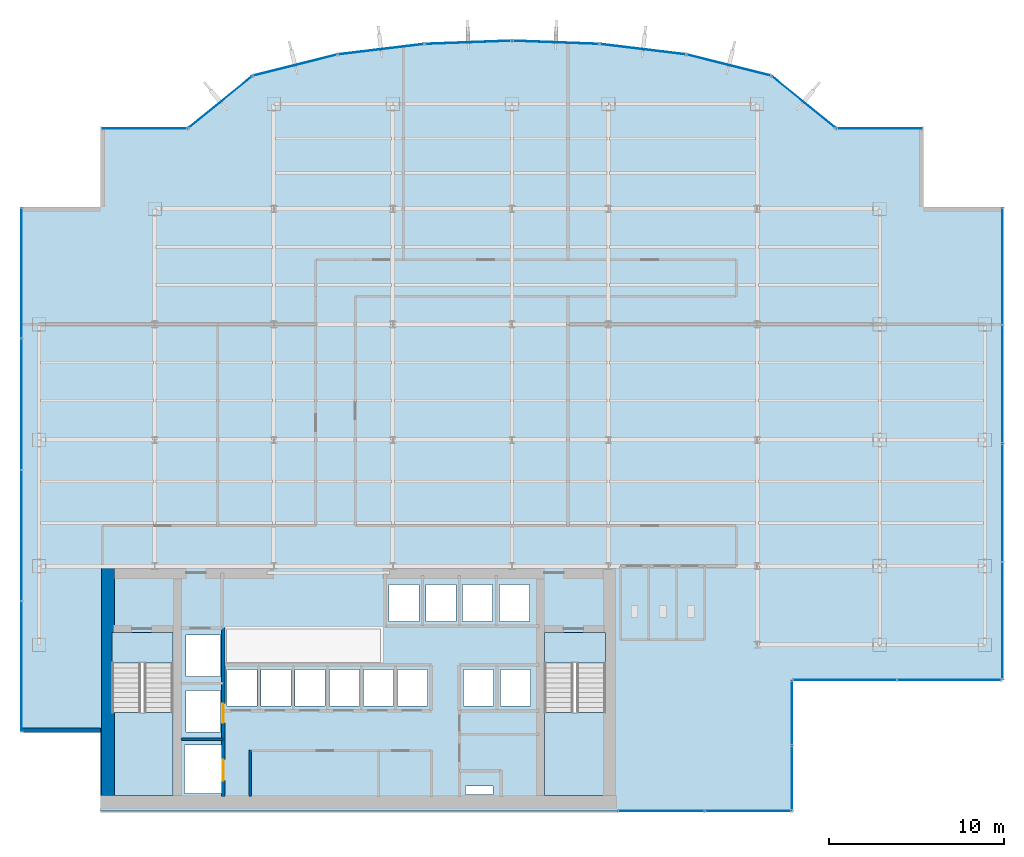
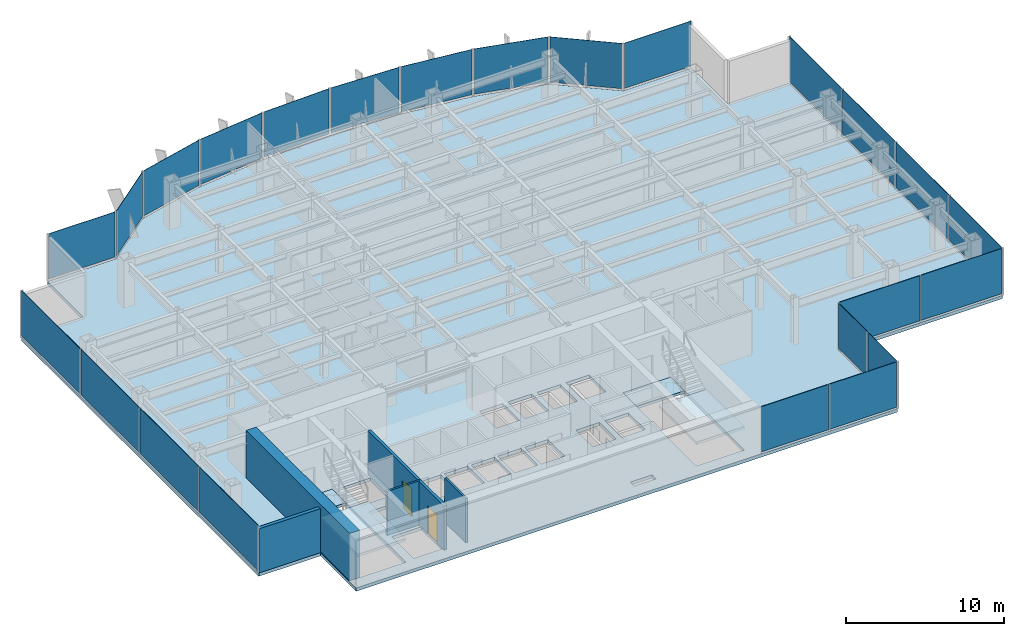
# One storey, part 20 of 26: 24 plates, 5 slabs, 5 walls, 2 doors, 2 openings, 17 elements without a shape of their own.
"""IFC4 building model written with IfcOpenShell, lengths in metres."""

from ifc_helpers import new_model, si_unit, derived_unit, direction, frame, frame_2d, origin, origin_2d, place, context, subcontext, project, spatial, polyline, rectangle, outline, extrude, source, transform, mapped, material, layer, layer_set, type_object, element, fill, aggregate, save


model = new_model("IFC4")

# Units and contexts
model_context = context("Model", 3, precision=1e-05, world=origin(), true_north=direction((0.0, 1.0)))
body_context = subcontext(model_context, "Body", "Model", "MODEL_VIEW")
ifc_project = project(units=[si_unit("LENGTHUNIT", "METRE"), si_unit("AREAUNIT", "SQUARE_METRE"), si_unit("VOLUMEUNIT", "CUBIC_METRE"), si_unit("PLANEANGLEUNIT", "RADIAN"), si_unit("MASSUNIT", "GRAM", prefix="KILO"), derived_unit("THERMALTRANSMITTANCEUNIT", [(si_unit("POWERUNIT", "WATT"), 1), (si_unit("LENGTHUNIT", "METRE"), -2), (si_unit("THERMODYNAMICTEMPERATUREUNIT", "KELVIN"), -1)])], contexts=[model_context])

# Site, building, storey
site_placement = place(None, origin())
site = spatial("IfcSite", under=ifc_project, at=site_placement, CompositionType="ELEMENT")
building_placement = place(site_placement, origin())
building = spatial("IfcBuilding", under=site, at=building_placement, Name="Skarnbrae Concourse Arena and Tower", CompositionType="ELEMENT")
storey_placement = place(building_placement, frame((0.0, 0.0, 92.300048828125)))
storey = spatial("IfcBuildingStorey", under=building, at=storey_placement, Name="L22", CompositionType="ELEMENT", Elevation=92.300048828125)

# Stair, slab
ifc_material_1 = material(Name="Concrete 40 MPa (C40/50)", Category="concrete")
stair_type = type_object("IfcStairType", Name="STAIR-DOGLEG-1650", PredefinedType="HALF_TURN_STAIR", material=ifc_material_1)
stair_1_placement = place(storey_placement, origin())
stair_1 = element("IfcStair", 1, at=stair_1_placement, inside=storey, type_object=stair_type, Name="L22 Protected Exit Stair ST-1", PredefinedType="HALF_TURN_STAIR")
ifc_layer_1 = layer(ifc_material_1, 0.199951171875)
ifc_layer_set_1 = layer_set([ifc_layer_1], Name="Concrete 40 MPa (C40/50)")
slab_type_1 = type_object("IfcSlabType", Name="SLAB-LANDING-200", PredefinedType="LANDING", material=ifc_layer_set_1)
slab_1_placement = place(storey_placement, frame((0.0, 0.0, 1.625)))
slab_1 = element("IfcSlab", 2, at=slab_1_placement, type_object=slab_type_1, Name="ST-1 landing 1", PredefinedType="LANDING", context=body_context, shape_type="SweptSolid", body=[
    extrude(outline(polyline([(5.14990234375, 5.64990234375), (5.14990234375, 0.89990234375), (8.64990234375, 0.89990234375), (8.64990234375, 5.64990234375), (5.14990234375, 5.64990234375)])), origin(), (0.0, 0.0, 1.0), 0.199951171875),
])
aggregate(stair_1, [slab_1])

stair_2_placement = place(storey_placement, origin())
stair_2 = element("IfcStair", 3, at=stair_2_placement, inside=storey, type_object=stair_type, Name="L22 Protected Exit Stair ST-2", PredefinedType="HALF_TURN_STAIR")
slab_2_placement = place(storey_placement, frame((0.0, 0.0, 1.625)))
slab_2 = element("IfcSlab", 4, at=slab_2_placement, type_object=slab_type_1, Name="ST-2 landing 1", PredefinedType="LANDING", context=body_context, shape_type="SweptSolid", body=[
    extrude(outline(polyline([(29.85009765625, 5.64990234375), (29.85009765625, 0.89990234375), (33.35009765625, 0.89990234375), (33.35009765625, 5.64990234375), (29.85009765625, 5.64990234375)])), origin(), (0.0, 0.0, 1.0), 0.199951171875),
])
aggregate(stair_2, [slab_2])

# Slabs
slab_3_placement = place(storey_placement, frame((0.0, 0.0, -0.199951171875)))
element("IfcSlab", 5, at=slab_3_placement, inside=storey, type_object=slab_type_1, Name="L22 Core stair ST1 floor landing", PredefinedType="LANDING", context=body_context, shape_type="SweptSolid", body=[
    extrude(outline(polyline([(5.14990234375, 10.199951171875), (5.14990234375, 8.449951171875), (8.64990234375, 8.449951171875), (8.64990234375, 10.199951171875), (5.14990234375, 10.199951171875)])), origin(), (0.0, 0.0, 1.0), 0.199951171875),
])
slab_4_placement = place(storey_placement, frame((0.0, 0.0, -0.199951171875)))
element("IfcSlab", 6, at=slab_4_placement, inside=storey, type_object=slab_type_1, Name="L22 Core stair ST2 floor landing", PredefinedType="LANDING", context=body_context, shape_type="SweptSolid", body=[
    extrude(outline(polyline([(29.85009765625, 10.199951171875), (29.85009765625, 8.449951171875), (33.35009765625, 8.449951171875), (33.35009765625, 10.199951171875), (29.85009765625, 10.199951171875)])), origin(), (0.0, 0.0, 1.0), 0.199951171875),
])
ifc_layer_2 = layer(ifc_material_1, 0.25)
ifc_layer_set_2 = layer_set([ifc_layer_2], Name="Concrete 40 MPa (C40/50)")
slab_type_2 = type_object("IfcSlabType", Name="SLAB-TOWER-250", PredefinedType="FLOOR", material=ifc_layer_set_2)
slab_5_placement = place(storey_placement, frame((0.0, 0.0, -0.25)))
element("IfcSlab", 7, at=slab_5_placement, inside=storey, type_object=slab_type_2, Name="L22 Structural floor slab", PredefinedType="FLOOR", context=body_context, shape_type="SweptSolid", body=[
    extrude(outline(polyline([(4.5, 0.0), (44.0, 0.0), (44.0, 7.5), (56.0, 7.5), (56.0, 34.5), (51.5, 34.5), (51.5, 39.0), (46.5, 39.0), (42.81103515625, 41.99609375), (37.964111328125, 43.212890625), (32.998779296875, 43.81396484375), (28.0, 44.0), (23.001220703125, 43.81396484375), (18.035888671875, 43.212890625), (13.18896484375, 41.99609375), (9.5, 39.0), (4.5, 39.0), (4.5, 34.5), (0.0, 34.5), (0.0, 4.5), (4.5, 4.5), (4.5, 0.0)]), holes=[polyline([(9.294921875, 3.780029296875), (11.455078125, 3.780029296875), (11.455078125, 1.02001953125), (9.294921875, 1.02001953125), (9.294921875, 3.780029296875)]), polyline([(8.64990234375, 10.199951171875), (8.64990234375, 0.89990234375), (5.14990234375, 0.89990234375), (5.14990234375, 10.199951171875), (8.64990234375, 10.199951171875)]), polyline([(9.39501953125, 6.8798828125), (11.35498046875, 6.8798828125), (11.35498046875, 4.52001953125), (9.39501953125, 4.52001953125), (9.39501953125, 6.8798828125)]), polyline([(11.719970703125, 8.10498046875), (13.429931640625, 8.10498046875), (13.429931640625, 5.9951171875), (11.719970703125, 5.9951171875), (11.719970703125, 8.10498046875)]), polyline([(13.669921875, 8.10498046875), (15.3798828125, 8.10498046875), (15.3798828125, 5.9951171875), (13.669921875, 5.9951171875), (13.669921875, 8.10498046875)]), polyline([(15.6201171875, 8.10498046875), (17.330078125, 8.10498046875), (17.330078125, 5.9951171875), (15.6201171875, 5.9951171875), (15.6201171875, 8.10498046875)]), polyline([(17.570068359375, 8.10498046875), (19.280029296875, 8.10498046875), (19.280029296875, 5.9951171875), (17.570068359375, 5.9951171875), (17.570068359375, 8.10498046875)]), polyline([(21.22998046875, 8.10498046875), (21.22998046875, 5.9951171875), (19.52001953125, 5.9951171875), (19.52001953125, 8.10498046875), (21.22998046875, 8.10498046875)]), polyline([(11.35498046875, 10.054931640625), (11.35498046875, 7.695068359375), (9.39501953125, 7.695068359375), (9.39501953125, 10.054931640625), (11.35498046875, 10.054931640625)]), polyline([(25.35009765625, 1.449951171875), (26.919921875, 1.449951171875), (26.919921875, 0.949951171875), (25.35009765625, 0.949951171875), (25.35009765625, 1.449951171875)]), polyline([(33.35009765625, 10.199951171875), (33.35009765625, 0.89990234375), (29.85009765625, 0.89990234375), (29.85009765625, 10.199951171875), (33.35009765625, 10.199951171875)]), polyline([(21.469970703125, 8.10498046875), (23.179931640625, 8.10498046875), (23.179931640625, 5.9951171875), (21.469970703125, 5.9951171875), (21.469970703125, 8.10498046875)]), polyline([(25.235107421875, 8.10498046875), (26.945068359375, 8.10498046875), (26.945068359375, 5.9951171875), (25.235107421875, 5.9951171875), (25.235107421875, 8.10498046875)]), polyline([(27.3349609375, 8.10498046875), (29.044921875, 8.10498046875), (29.044921875, 5.9951171875), (27.3349609375, 5.9951171875), (27.3349609375, 8.10498046875)]), polyline([(20.985107421875, 12.955078125), (22.695068359375, 12.955078125), (22.695068359375, 10.844970703125), (20.985107421875, 10.844970703125), (20.985107421875, 12.955078125)]), polyline([(23.0849609375, 12.955078125), (24.794921875, 12.955078125), (24.794921875, 10.844970703125), (23.0849609375, 10.844970703125), (23.0849609375, 12.955078125)]), polyline([(26.89501953125, 12.955078125), (26.89501953125, 10.844970703125), (25.18505859375, 10.844970703125), (25.18505859375, 12.955078125), (26.89501953125, 12.955078125)]), polyline([(28.9951171875, 12.955078125), (28.9951171875, 10.844970703125), (27.284912109375, 10.844970703125), (27.284912109375, 12.955078125), (28.9951171875, 12.955078125)])]), origin(), (0.0, 0.0, 1.0), 0.25),
])

# Curtain wall, plates
ifc_material_2 = material(Name="Bronze anodised aluminium 6063-T6", Category="aluminium")
curtain_wall_type = type_object("IfcCurtainWallType", Name="CW-SYS-04-MIDZONE", PredefinedType="USERDEFINED", material=ifc_material_2)
curtain_wall_1_placement = place(storey_placement, origin())
curtain_wall_1 = element("IfcCurtainWall", 8, at=curtain_wall_1_placement, inside=storey, type_object=curtain_wall_type, Name="L22 Unitised curtain wall CW-L22-SE-SPINE", ObjectType="UNITISED CURTAIN WALL", PredefinedType="USERDEFINED")
ifc_material_3 = material(Name="Low-E triple insulating glass", Category="glass")
ifc_layer_3 = layer(ifc_material_3, 0.031982421875)
ifc_layer_set_3 = layer_set([ifc_layer_3], Name="Low-E triple insulating glass")
plate_type = type_object("IfcPlateType", Name="CWP-CW-04", PredefinedType="CURTAIN_PANEL", material=ifc_layer_set_3)
shared_shape_1 = source(origin(), body_context, "Body", "SweptSolid", [
    extrude(rectangle(XDim=4.887451171875, YDim=0.031982421875, at=origin_2d()), origin(), (0.0, 0.0, 1.0), 3.489990234375),
])
plate_1_placement = place(storey_placement, frame((36.518798828125, 0.0, 0.16015625), z_axis=(0.0, 0.0, 1.0), x_axis=(1.0, 0.0, 0.0)))
plate_1 = element("IfcPlate", 9, at=plate_1_placement, type_object=plate_type, Name="CW-L22-SE-SPINE Low-E Glazing Panel 1", PredefinedType="CURTAIN_PANEL", context=body_context, shape_type="MappedRepresentation", body=[
    mapped(shared_shape_1, transform((0.0, 0.0, 0.0))),
])
plate_2_placement = place(storey_placement, frame((41.481201171875, 0.0, 0.16015625), z_axis=(0.0, 0.0, 1.0), x_axis=(1.0, 0.0, 0.0)))
plate_2 = element("IfcPlate", 10, at=plate_2_placement, type_object=plate_type, Name="CW-L22-SE-SPINE Low-E Glazing Panel 2", PredefinedType="CURTAIN_PANEL", context=body_context, shape_type="MappedRepresentation", body=[
    mapped(shared_shape_1, transform((0.0, 0.0, 0.0))),
])
aggregate(curtain_wall_1, [plate_1, plate_2])

curtain_wall_2_placement = place(storey_placement, origin())
curtain_wall_2 = element("IfcCurtainWall", 11, at=curtain_wall_2_placement, inside=storey, type_object=curtain_wall_type, Name="L22 Unitised curtain wall CW-L22-E02", ObjectType="UNITISED CURTAIN WALL", PredefinedType="USERDEFINED")
shared_shape_2 = source(origin(), body_context, "Body", "SweptSolid", [
    extrude(rectangle(XDim=3.637451171875, YDim=0.031982421875, at=origin_2d()), origin(), (0.0, 0.0, 1.0), 3.489990234375),
])
plate_3_placement = place(storey_placement, frame((44.0, 1.893798828125, 0.16015625), z_axis=(0.0, 0.0, 1.0), x_axis=(0.0, 1.0, 0.0)))
plate_3 = element("IfcPlate", 12, at=plate_3_placement, type_object=plate_type, Name="CW-L22-E02 Low-E Glazing Panel 1", PredefinedType="CURTAIN_PANEL", context=body_context, shape_type="MappedRepresentation", body=[
    mapped(shared_shape_2, transform((0.0, 0.0, 0.0))),
])
plate_4_placement = place(storey_placement, frame((44.0, 5.606201171875, 0.16015625), z_axis=(0.0, 0.0, 1.0), x_axis=(0.0, 1.0, 0.0)))
plate_4 = element("IfcPlate", 13, at=plate_4_placement, type_object=plate_type, Name="CW-L22-E02 Low-E Glazing Panel 2", PredefinedType="CURTAIN_PANEL", context=body_context, shape_type="MappedRepresentation", body=[
    mapped(shared_shape_2, transform((0.0, 0.0, 0.0))),
])
aggregate(curtain_wall_2, [plate_3, plate_4])

curtain_wall_3_placement = place(storey_placement, origin())
curtain_wall_3 = element("IfcCurtainWall", 14, at=curtain_wall_3_placement, inside=storey, type_object=curtain_wall_type, Name="L22 Unitised curtain wall CW-L22-E03", ObjectType="UNITISED CURTAIN WALL", PredefinedType="USERDEFINED")
shared_shape_3 = source(origin(), body_context, "Body", "SweptSolid", [
    extrude(rectangle(XDim=5.887451171875, YDim=0.031982421875, at=origin_2d()), origin(), (0.0, 0.0, 1.0), 3.489990234375),
])
plate_5_placement = place(storey_placement, frame((47.018798828125, 7.5, 0.16015625), z_axis=(0.0, 0.0, 1.0), x_axis=(1.0, 0.0, 0.0)))
plate_5 = element("IfcPlate", 15, at=plate_5_placement, type_object=plate_type, Name="CW-L22-E03 Low-E Glazing Panel 1", PredefinedType="CURTAIN_PANEL", context=body_context, shape_type="MappedRepresentation", body=[
    mapped(shared_shape_3, transform((0.0, 0.0, 0.0))),
])
plate_6_placement = place(storey_placement, frame((52.981201171875, 7.5, 0.16015625), z_axis=(0.0, 0.0, 1.0), x_axis=(1.0, 0.0, 0.0)))
plate_6 = element("IfcPlate", 16, at=plate_6_placement, type_object=plate_type, Name="CW-L22-E03 Low-E Glazing Panel 2", PredefinedType="CURTAIN_PANEL", context=body_context, shape_type="MappedRepresentation", body=[
    mapped(shared_shape_3, transform((0.0, 0.0, 0.0))),
])
aggregate(curtain_wall_3, [plate_5, plate_6])

# Curtain wall, plate
curtain_wall_4_placement = place(storey_placement, origin())
curtain_wall_4 = element("IfcCurtainWall", 17, at=curtain_wall_4_placement, inside=storey, type_object=curtain_wall_type, Name="L22 Unitised curtain wall CW-L22-E07", ObjectType="UNITISED CURTAIN WALL", PredefinedType="USERDEFINED")
shared_shape_4 = source(origin(), body_context, "Body", "SweptSolid", [
    extrude(rectangle(XDim=4.85009765625, YDim=0.031982421875, at=origin_2d()), origin(), (0.0, 0.0, 1.0), 3.489990234375),
])
plate_7_placement = place(storey_placement, frame((49.0, 39.0, 0.16015625), z_axis=(0.0, 0.0, 1.0), x_axis=(-1.0, 0.0, 0.0)))
plate_7 = element("IfcPlate", 18, at=plate_7_placement, type_object=plate_type, Name="CW-L22-E07 Low-E Glazing Panel 1", PredefinedType="CURTAIN_PANEL", context=body_context, shape_type="MappedRepresentation", body=[
    mapped(shared_shape_4, transform((0.0, 0.0, 0.0))),
])
aggregate(curtain_wall_4, [plate_7])

curtain_wall_5_placement = place(storey_placement, origin())
curtain_wall_5 = element("IfcCurtainWall", 19, at=curtain_wall_5_placement, inside=storey, type_object=curtain_wall_type, Name="L22 Unitised curtain wall CW-L22-E16", ObjectType="UNITISED CURTAIN WALL", PredefinedType="USERDEFINED")
plate_8_placement = place(storey_placement, frame((7.0, 39.0, 0.16015625), z_axis=(0.0, 0.0, 1.0), x_axis=(-1.0, 0.0, 0.0)))
plate_8 = element("IfcPlate", 20, at=plate_8_placement, type_object=plate_type, Name="CW-L22-E16 Low-E Glazing Panel 1", PredefinedType="CURTAIN_PANEL", context=body_context, shape_type="MappedRepresentation", body=[
    mapped(shared_shape_4, transform((0.0, 0.0, 0.0))),
])
aggregate(curtain_wall_5, [plate_8])

curtain_wall_6_placement = place(storey_placement, origin())
curtain_wall_6 = element("IfcCurtainWall", 21, at=curtain_wall_6_placement, inside=storey, type_object=curtain_wall_type, Name="L22 Unitised curtain wall CW-L22-E08", ObjectType="UNITISED CURTAIN WALL", PredefinedType="USERDEFINED")
shared_shape_5 = source(origin(), body_context, "Body", "SweptSolid", [
    extrude(rectangle(XDim=4.602294921875, YDim=0.031982421875, at=origin_2d()), origin(), (0.0, 0.0, 1.0), 3.489990234375),
])
plate_9_placement = place(storey_placement, frame((44.655517578125, 40.498046875, 0.16015625), z_axis=(0.0, 0.0, 1.0), x_axis=(-0.776241200471, 0.630436038542, 0.0)))
plate_9 = element("IfcPlate", 22, at=plate_9_placement, type_object=plate_type, Name="CW-L22-E08 Low-E Glazing Panel 1", PredefinedType="CURTAIN_PANEL", context=body_context, shape_type="MappedRepresentation", body=[
    mapped(shared_shape_5, transform((0.0, 0.0, 0.0))),
])
aggregate(curtain_wall_6, [plate_9])

curtain_wall_7_placement = place(storey_placement, origin())
curtain_wall_7 = element("IfcCurtainWall", 23, at=curtain_wall_7_placement, inside=storey, type_object=curtain_wall_type, Name="L22 Unitised curtain wall CW-L22-E15", ObjectType="UNITISED CURTAIN WALL", PredefinedType="USERDEFINED")
plate_10_placement = place(storey_placement, frame((11.344482421875, 40.498046875, 0.16015625), z_axis=(0.0, 0.0, 1.0), x_axis=(-0.776241200471, -0.630436038542, 0.0)))
plate_10 = element("IfcPlate", 24, at=plate_10_placement, type_object=plate_type, Name="CW-L22-E15 Low-E Glazing Panel 1", PredefinedType="CURTAIN_PANEL", context=body_context, shape_type="MappedRepresentation", body=[
    mapped(shared_shape_5, transform((0.0, 0.0, 0.0))),
])
aggregate(curtain_wall_7, [plate_10])

curtain_wall_8_placement = place(storey_placement, origin())
curtain_wall_8 = element("IfcCurtainWall", 25, at=curtain_wall_8_placement, inside=storey, type_object=curtain_wall_type, Name="L22 Unitised curtain wall CW-L22-E09", ObjectType="UNITISED CURTAIN WALL", PredefinedType="USERDEFINED")
shared_shape_6 = source(origin(), body_context, "Body", "SweptSolid", [
    extrude(rectangle(XDim=4.847412109375, YDim=0.031982421875, at=origin_2d()), origin(), (0.0, 0.0, 1.0), 3.489990234375),
])
plate_11_placement = place(storey_placement, frame((40.3876953125, 42.6044921875, 0.16015625), z_axis=(0.0, 0.0, 1.0), x_axis=(-0.969903046166, 0.243491439351, 0.0)))
plate_11 = element("IfcPlate", 26, at=plate_11_placement, type_object=plate_type, Name="CW-L22-E09 Low-E Glazing Panel 1", PredefinedType="CURTAIN_PANEL", context=body_context, shape_type="MappedRepresentation", body=[
    mapped(shared_shape_6, transform((0.0, 0.0, 0.0))),
])
aggregate(curtain_wall_8, [plate_11])

curtain_wall_9_placement = place(storey_placement, origin())
curtain_wall_9 = element("IfcCurtainWall", 27, at=curtain_wall_9_placement, inside=storey, type_object=curtain_wall_type, Name="L22 Unitised curtain wall CW-L22-E14", ObjectType="UNITISED CURTAIN WALL", PredefinedType="USERDEFINED")
plate_12_placement = place(storey_placement, frame((15.6123046875, 42.6044921875, 0.16015625), z_axis=(0.0, 0.0, 1.0), x_axis=(-0.969903046166, -0.243491439351, 0.0)))
plate_12 = element("IfcPlate", 28, at=plate_12_placement, type_object=plate_type, Name="CW-L22-E14 Low-E Glazing Panel 1", PredefinedType="CURTAIN_PANEL", context=body_context, shape_type="MappedRepresentation", body=[
    mapped(shared_shape_6, transform((0.0, 0.0, 0.0))),
])
aggregate(curtain_wall_9, [plate_12])

curtain_wall_10_placement = place(storey_placement, origin())
curtain_wall_10 = element("IfcCurtainWall", 29, at=curtain_wall_10_placement, inside=storey, type_object=curtain_wall_type, Name="L22 Unitised curtain wall CW-L22-E10", ObjectType="UNITISED CURTAIN WALL", PredefinedType="USERDEFINED")
shared_shape_7 = source(origin(), body_context, "Body", "SweptSolid", [
    extrude(rectangle(XDim=4.8515625, YDim=0.031982421875, at=origin_2d()), origin(), (0.0, 0.0, 1.0), 3.489990234375),
])
plate_13_placement = place(storey_placement, frame((35.4814453125, 43.513427734375, 0.16015625), z_axis=(0.0, 0.0, 1.0), x_axis=(-0.992749371969, 0.120202680731, 0.0)))
plate_13 = element("IfcPlate", 30, at=plate_13_placement, type_object=plate_type, Name="CW-L22-E10 Low-E Glazing Panel 1", PredefinedType="CURTAIN_PANEL", context=body_context, shape_type="MappedRepresentation", body=[
    mapped(shared_shape_7, transform((0.0, 0.0, 0.0))),
])
aggregate(curtain_wall_10, [plate_13])

curtain_wall_11_placement = place(storey_placement, origin())
curtain_wall_11 = element("IfcCurtainWall", 31, at=curtain_wall_11_placement, inside=storey, type_object=curtain_wall_type, Name="L22 Unitised curtain wall CW-L22-E13", ObjectType="UNITISED CURTAIN WALL", PredefinedType="USERDEFINED")
plate_14_placement = place(storey_placement, frame((20.5185546875, 43.513427734375, 0.16015625), z_axis=(0.0, 0.0, 1.0), x_axis=(-0.992749371969, -0.120202680731, 0.0)))
plate_14 = element("IfcPlate", 32, at=plate_14_placement, type_object=plate_type, Name="CW-L22-E13 Low-E Glazing Panel 1", PredefinedType="CURTAIN_PANEL", context=body_context, shape_type="MappedRepresentation", body=[
    mapped(shared_shape_7, transform((0.0, 0.0, 0.0))),
])
aggregate(curtain_wall_11, [plate_14])

curtain_wall_12_placement = place(storey_placement, origin())
curtain_wall_12 = element("IfcCurtainWall", 33, at=curtain_wall_12_placement, inside=storey, type_object=curtain_wall_type, Name="L22 Unitised curtain wall CW-L22-E11", ObjectType="UNITISED CURTAIN WALL", PredefinedType="USERDEFINED")
shared_shape_8 = source(origin(), body_context, "Body", "SweptSolid", [
    extrude(rectangle(XDim=4.852294921875, YDim=0.031982421875, at=origin_2d()), origin(), (0.0, 0.0, 1.0), 3.489990234375),
])
plate_15_placement = place(storey_placement, frame((30.49951171875, 43.906982421875, 0.16015625), z_axis=(0.0, 0.0, 1.0), x_axis=(-0.999308486252, 0.037182647889, 0.0)))
plate_15 = element("IfcPlate", 34, at=plate_15_placement, type_object=plate_type, Name="CW-L22-E11 Low-E Glazing Panel 1", PredefinedType="CURTAIN_PANEL", context=body_context, shape_type="MappedRepresentation", body=[
    mapped(shared_shape_8, transform((0.0, 0.0, 0.0))),
])
aggregate(curtain_wall_12, [plate_15])

curtain_wall_13_placement = place(storey_placement, origin())
curtain_wall_13 = element("IfcCurtainWall", 35, at=curtain_wall_13_placement, inside=storey, type_object=curtain_wall_type, Name="L22 Unitised curtain wall CW-L22-E12", ObjectType="UNITISED CURTAIN WALL", PredefinedType="USERDEFINED")
plate_16_placement = place(storey_placement, frame((25.50048828125, 43.906982421875, 0.16015625), z_axis=(0.0, 0.0, 1.0), x_axis=(-0.999308486252, -0.037182647889, 0.0)))
plate_16 = element("IfcPlate", 36, at=plate_16_placement, type_object=plate_type, Name="CW-L22-E12 Low-E Glazing Panel 1", PredefinedType="CURTAIN_PANEL", context=body_context, shape_type="MappedRepresentation", body=[
    mapped(shared_shape_8, transform((0.0, 0.0, 0.0))),
])
aggregate(curtain_wall_13, [plate_16])

# Curtain wall, plates
curtain_wall_14_placement = place(storey_placement, origin())
curtain_wall_14 = element("IfcCurtainWall", 37, at=curtain_wall_14_placement, inside=storey, type_object=curtain_wall_type, Name="L22 Unitised curtain wall CW-L22-E19", ObjectType="UNITISED CURTAIN WALL", PredefinedType="USERDEFINED")
shared_shape_9 = source(origin(), body_context, "Body", "SweptSolid", [
    extrude(rectangle(XDim=7.387451171875, YDim=0.031982421875, at=origin_2d()), origin(), (0.0, 0.0, 1.0), 3.489990234375),
])
plate_17_placement = place(storey_placement, frame((0.0, 30.731201171875, 0.16015625), z_axis=(0.0, 0.0, 1.0), x_axis=(0.0, -1.0, 0.0)))
plate_17 = element("IfcPlate", 38, at=plate_17_placement, type_object=plate_type, Name="CW-L22-E19 Low-E Glazing Panel 1", PredefinedType="CURTAIN_PANEL", context=body_context, shape_type="MappedRepresentation", body=[
    mapped(shared_shape_9, transform((0.0, 0.0, 0.0))),
])
plate_18_placement = place(storey_placement, frame((0.0, 8.268798828125, 0.16015625), z_axis=(0.0, 0.0, 1.0), x_axis=(0.0, -1.0, 0.0)))
plate_18 = element("IfcPlate", 39, at=plate_18_placement, type_object=plate_type, Name="CW-L22-E19 Low-E Glazing Panel 4", PredefinedType="CURTAIN_PANEL", context=body_context, shape_type="MappedRepresentation", body=[
    mapped(shared_shape_9, transform((0.0, 0.0, 0.0))),
])
shared_shape_10 = source(origin(), body_context, "Body", "SweptSolid", [
    extrude(rectangle(XDim=7.425048828125, YDim=0.031982421875, at=origin_2d()), origin(), (0.0, 0.0, 1.0), 3.489990234375),
])
plate_19_placement = place(storey_placement, frame((0.0, 23.25, 0.16015625), z_axis=(0.0, 0.0, 1.0), x_axis=(0.0, -1.0, 0.0)))
plate_19 = element("IfcPlate", 40, at=plate_19_placement, type_object=plate_type, Name="CW-L22-E19 Low-E Glazing Panel 2", PredefinedType="CURTAIN_PANEL", context=body_context, shape_type="MappedRepresentation", body=[
    mapped(shared_shape_10, transform((0.0, 0.0, 0.0))),
])
plate_20_placement = place(storey_placement, frame((0.0, 15.75, 0.16015625), z_axis=(0.0, 0.0, 1.0), x_axis=(0.0, -1.0, 0.0)))
plate_20 = element("IfcPlate", 41, at=plate_20_placement, type_object=plate_type, Name="CW-L22-E19 Low-E Glazing Panel 3", PredefinedType="CURTAIN_PANEL", context=body_context, shape_type="MappedRepresentation", body=[
    mapped(shared_shape_10, transform((0.0, 0.0, 0.0))),
])
aggregate(curtain_wall_14, [plate_17, plate_19, plate_20, plate_18])

curtain_wall_15_placement = place(storey_placement, origin())
curtain_wall_15 = element("IfcCurtainWall", 42, at=curtain_wall_15_placement, inside=storey, type_object=curtain_wall_type, Name="L22 Unitised curtain wall CW-L22-E04", ObjectType="UNITISED CURTAIN WALL", PredefinedType="USERDEFINED")
shared_shape_11 = source(origin(), body_context, "Body", "SweptSolid", [
    extrude(rectangle(XDim=6.637451171875, YDim=0.031982421875, at=origin_2d()), origin(), (0.0, 0.0, 1.0), 3.489990234375),
])
plate_21_placement = place(storey_placement, frame((56.0, 10.893798828125, 0.16015625), z_axis=(0.0, 0.0, 1.0), x_axis=(0.0, 1.0, 0.0)))
plate_21 = element("IfcPlate", 43, at=plate_21_placement, type_object=plate_type, Name="CW-L22-E04 Low-E Glazing Panel 1", PredefinedType="CURTAIN_PANEL", context=body_context, shape_type="MappedRepresentation", body=[
    mapped(shared_shape_11, transform((0.0, 0.0, 0.0))),
])
plate_22_placement = place(storey_placement, frame((56.0, 31.106201171875, 0.16015625), z_axis=(0.0, 0.0, 1.0), x_axis=(0.0, 1.0, 0.0)))
plate_22 = element("IfcPlate", 44, at=plate_22_placement, type_object=plate_type, Name="CW-L22-E04 Low-E Glazing Panel 4", PredefinedType="CURTAIN_PANEL", context=body_context, shape_type="MappedRepresentation", body=[
    mapped(shared_shape_11, transform((0.0, 0.0, 0.0))),
])
shared_shape_12 = source(origin(), body_context, "Body", "SweptSolid", [
    extrude(rectangle(XDim=6.675048828125, YDim=0.031982421875, at=origin_2d()), origin(), (0.0, 0.0, 1.0), 3.489990234375),
])
plate_23_placement = place(storey_placement, frame((56.0, 17.625, 0.16015625), z_axis=(0.0, 0.0, 1.0), x_axis=(0.0, 1.0, 0.0)))
plate_23 = element("IfcPlate", 45, at=plate_23_placement, type_object=plate_type, Name="CW-L22-E04 Low-E Glazing Panel 2", PredefinedType="CURTAIN_PANEL", context=body_context, shape_type="MappedRepresentation", body=[
    mapped(shared_shape_12, transform((0.0, 0.0, 0.0))),
])
plate_24_placement = place(storey_placement, frame((56.0, 24.375, 0.16015625), z_axis=(0.0, 0.0, 1.0), x_axis=(0.0, 1.0, 0.0)))
plate_24 = element("IfcPlate", 46, at=plate_24_placement, type_object=plate_type, Name="CW-L22-E04 Low-E Glazing Panel 3", PredefinedType="CURTAIN_PANEL", context=body_context, shape_type="MappedRepresentation", body=[
    mapped(shared_shape_12, transform((0.0, 0.0, 0.0))),
])
aggregate(curtain_wall_15, [plate_21, plate_23, plate_24, plate_22])

# Walls
ifc_material_4 = material(Name="Concrete 60 MPa (C60/75)", Category="concrete")
ifc_layer_4 = layer(ifc_material_4, 0.75)
ifc_layer_set_4 = layer_set([ifc_layer_4], Name="Concrete 60 MPa (C60/75)")
wall_type_1 = type_object("IfcWallType", Name="WALL-CORE-750-C60", PredefinedType="SHEAR", material=ifc_layer_set_4)
shared_shape_13 = source(origin(), body_context, "Body", "SweptSolid", [
    extrude(rectangle(XDim=13.10009765625, YDim=0.75, at=frame_2d((6.550048828125, 0.0))), origin(), (0.0, 0.0, 1.0), 3.64990234375),
])
wall_1_placement = place(storey_placement, frame((4.925048828125, 0.89990234375, 0.0), z_axis=(0.0, 0.0, 1.0), x_axis=(0.0, 1.0, 0.0)))
element("IfcWall", 47, at=wall_1_placement, inside=storey, type_object=wall_type_1, Name="L22 Rear core shear wall CW-W", PredefinedType="SHEAR", context=body_context, shape_type="MappedRepresentation", body=[
    mapped(shared_shape_13, transform((0.0, 0.0, 0.0))),
])
ifc_material_5 = material(Name="Precast concrete 40 MPa (C40/50)", Category="concrete")
ifc_layer_5 = layer(ifc_material_5, 0.25)
ifc_layer_set_5 = layer_set([ifc_layer_5], Name="Precast concrete 40 MPa (C40/50)")
wall_type_2 = type_object("IfcWallType", Name="WALL-EXT-SPANDREL-250", PredefinedType="STANDARD", material=ifc_layer_set_5)
shared_shape_14 = source(origin(), body_context, "Body", "SweptSolid", [
    extrude(rectangle(XDim=4.5, YDim=0.25, at=frame_2d((2.25, 0.0))), origin(), (0.0, 0.0, 1.0), 3.39990234375),
])
wall_2_placement = place(storey_placement, frame((0.0, 4.625, 0.0), z_axis=(0.0, 0.0, 1.0), x_axis=(1.0, 0.0, 0.0)))
element("IfcWall", 48, at=wall_2_placement, inside=storey, type_object=wall_type_2, Name="L22 Notched corner insulated return wall 20", PredefinedType="STANDARD", context=body_context, shape_type="MappedRepresentation", body=[
    mapped(shared_shape_14, transform((0.0, 0.0, 0.0))),
])

# Wall, openings, doors
ifc_material_6 = material(Name="Gypsum board on cold-formed steel studs", Category="steel")
ifc_layer_6 = layer(ifc_material_6, 0.199951171875)
ifc_layer_set_6 = layer_set([ifc_layer_6], Name="Gypsum board on cold-formed steel studs")
wall_type_3 = type_object("IfcWallType", Name="WALL-PART-200-2HR", PredefinedType="PARTITIONING", material=ifc_layer_set_6)
shared_shape_15 = source(origin(), body_context, "Body", "SweptSolid", [
    extrude(rectangle(XDim=9.599853515625, YDim=0.199951171875, at=frame_2d((4.7998046875, 0.0))), origin(), (0.0, 0.0, 1.0), 3.39990234375),
])
wall_3_placement = place(storey_placement, frame((11.5, 0.85009765625, 0.0), z_axis=(0.0, 0.0, 1.0), x_axis=(0.0, 1.0, 0.0)))
wall_3 = element("IfcWall", 49, at=wall_3_placement, inside=storey, type_object=wall_type_3, Name="L22 Interior partition wall W-L22-FL-E", PredefinedType="PARTITIONING", context=body_context, shape_type="MappedRepresentation", body=[
    mapped(shared_shape_15, transform((0.0, 0.0, 0.0))),
])
opening_1_placement = place(wall_3_placement, frame((4.199951171875, 0.0, 0.0)))
opening_1 = element("IfcOpeningElement", 50, at=opening_1_placement, cuts=wall_3, Name="Opening LD-01", PredefinedType="OPENING", context=body_context, shape_type="SweptSolid", body=[
    extrude(rectangle(XDim=1.10009765625, YDim=2.14990234375, at=frame_2d((0.550048828125, 1.074951171875))), frame((0.0, 0.10986328125, 0.0), z_axis=(0.0, -1.0, 0.0), x_axis=(1.0, 0.0, 0.0)), (0.0, 0.0, 1.0), 0.219970703125),
])
opening_2_placement = place(wall_3_placement, frame((0.89990234375, 0.0, 0.0)))
opening_2 = element("IfcOpeningElement", 51, at=opening_2_placement, cuts=wall_3, Name="Opening LD-02", PredefinedType="OPENING", context=body_context, shape_type="SweptSolid", body=[
    extrude(rectangle(XDim=1.199951171875, YDim=2.14990234375, at=frame_2d((0.60009765625, 1.074951171875))), frame((0.0, 0.10986328125, 0.0), z_axis=(0.0, -1.0, 0.0), x_axis=(1.0, 0.0, 0.0)), (0.0, 0.0, 1.0), 0.219970703125),
])
ifc_material_7 = material(Name="Steel CSA G40.21 350W", Category="steel")
door_type_1 = type_object("IfcDoorType", Name="DOOR-LIFT-SLIDE-1100", OperationType="SLIDING_TO_LEFT", PredefinedType="DOOR", material=ifc_material_7)
shared_shape_16 = source(origin(), body_context, "Body", "SweptSolid", [
    extrude(rectangle(XDim=1.10009765625, YDim=2.14990234375, at=frame_2d((0.550048828125, 1.074951171875))), frame((0.0, 0.02490234375, 0.0), z_axis=(0.0, -1.0, 0.0), x_axis=(1.0, 0.0, 0.0)), (0.0, 0.0, 1.0), 0.050048828125),
])
door_1_placement = place(opening_1_placement, frame((1.10009765625, 0.0, 0.0), z_axis=(0.0, 0.0, 1.0), x_axis=(-1.0, 0.0, 0.0)))
door_1 = element("IfcDoor", 52, at=door_1_placement, inside=storey, type_object=door_type_1, Name="D-0765 Firefighting Lift Landing Door FL-02", OperationType="SLIDING_TO_LEFT", OverallHeight=2.14990234375, OverallWidth=1.10009765625, PredefinedType="DOOR", context=body_context, shape_type="MappedRepresentation", body=[
    mapped(shared_shape_16, transform((0.0, 0.0, 0.0))),
])
fill(opening_1, door_1)
door_type_2 = type_object("IfcDoorType", Name="DOOR-LIFT-SLIDE-1200", OperationType="SLIDING_TO_LEFT", PredefinedType="DOOR", material=ifc_material_7)
shared_shape_17 = source(origin(), body_context, "Body", "SweptSolid", [
    extrude(rectangle(XDim=1.199951171875, YDim=2.14990234375, at=frame_2d((0.60009765625, 1.074951171875))), frame((0.0, 0.02490234375, 0.0), z_axis=(0.0, -1.0, 0.0), x_axis=(1.0, 0.0, 0.0)), (0.0, 0.0, 1.0), 0.050048828125),
])
door_2_placement = place(opening_2_placement, frame((1.199951171875, 0.0, 0.0), z_axis=(0.0, 0.0, 1.0), x_axis=(-1.0, 0.0, 0.0)))
door_2 = element("IfcDoor", 53, at=door_2_placement, inside=storey, type_object=door_type_2, Name="D-0766 Service Lift Landing Door SV-01", OperationType="SLIDING_TO_LEFT", OverallHeight=2.14990234375, OverallWidth=1.199951171875, PredefinedType="DOOR", context=body_context, shape_type="MappedRepresentation", body=[
    mapped(shared_shape_17, transform((0.0, 0.0, 0.0))),
])
fill(opening_2, door_2)

# Walls
ifc_layer_7 = layer(ifc_material_6, 0.14990234375)
ifc_layer_set_7 = layer_set([ifc_layer_7], Name="Gypsum board on cold-formed steel studs")
wall_type_4 = type_object("IfcWallType", Name="WALL-PART-150", PredefinedType="PARTITIONING", material=ifc_layer_set_7)
shared_shape_18 = source(origin(), body_context, "Body", "SweptSolid", [
    extrude(rectangle(XDim=2.39990234375, YDim=0.14990234375, at=frame_2d((1.199951171875, 0.0))), origin(), (0.0, 0.0, 1.0), 3.39990234375),
])
wall_4_placement = place(storey_placement, frame((9.10009765625, 4.10009765625, 0.0), z_axis=(0.0, 0.0, 1.0), x_axis=(1.0, 0.0, 0.0)))
element("IfcWall", 54, at=wall_4_placement, inside=storey, type_object=wall_type_4, Name="L22 Interior partition wall W-L22-FL-D1", PredefinedType="PARTITIONING", context=body_context, shape_type="MappedRepresentation", body=[
    mapped(shared_shape_18, transform((0.0, 0.0, 0.0))),
])
ifc_layer_8 = layer(ifc_material_6, 0.14990234375)
ifc_layer_set_8 = layer_set([ifc_layer_8], Name="Gypsum board on cold-formed steel studs")
wall_type_5 = type_object("IfcWallType", Name="WALL-PART-150-1HR", PredefinedType="PARTITIONING", material=ifc_layer_set_8)
shared_shape_19 = source(origin(), body_context, "Body", "SweptSolid", [
    extrude(rectangle(XDim=2.64990234375, YDim=0.14990234375, at=frame_2d((1.324951171875, 0.0))), origin(), (0.0, 0.0, 1.0), 3.39990234375),
])
wall_5_placement = place(storey_placement, frame((13.050048828125, 0.85009765625, 0.0), z_axis=(0.0, 0.0, 1.0), x_axis=(0.0, 1.0, 0.0)))
element("IfcWall", 55, at=wall_5_placement, inside=storey, type_object=wall_type_5, Name="L22 Interior partition wall W-L22-B1M-W", PredefinedType="PARTITIONING", context=body_context, shape_type="MappedRepresentation", body=[
    mapped(shared_shape_19, transform((0.0, 0.0, 0.0))),
])

save(model, "model.ifc")
